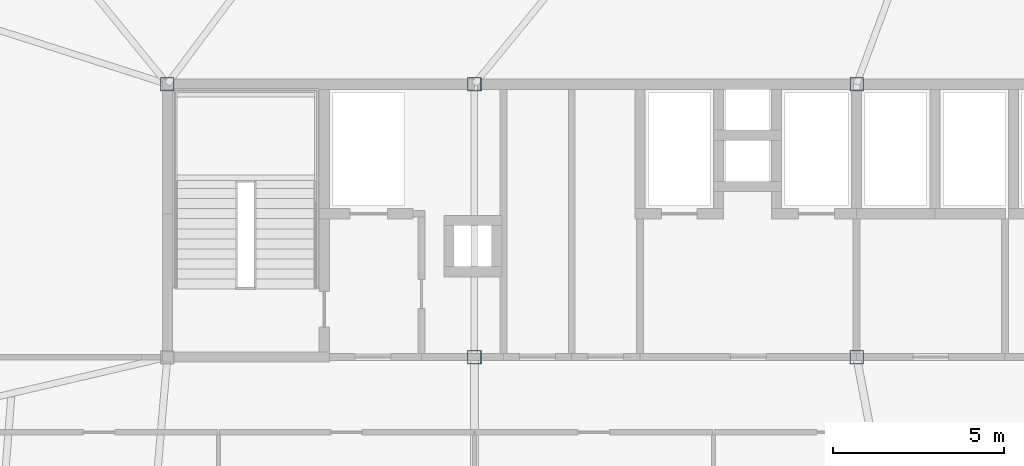
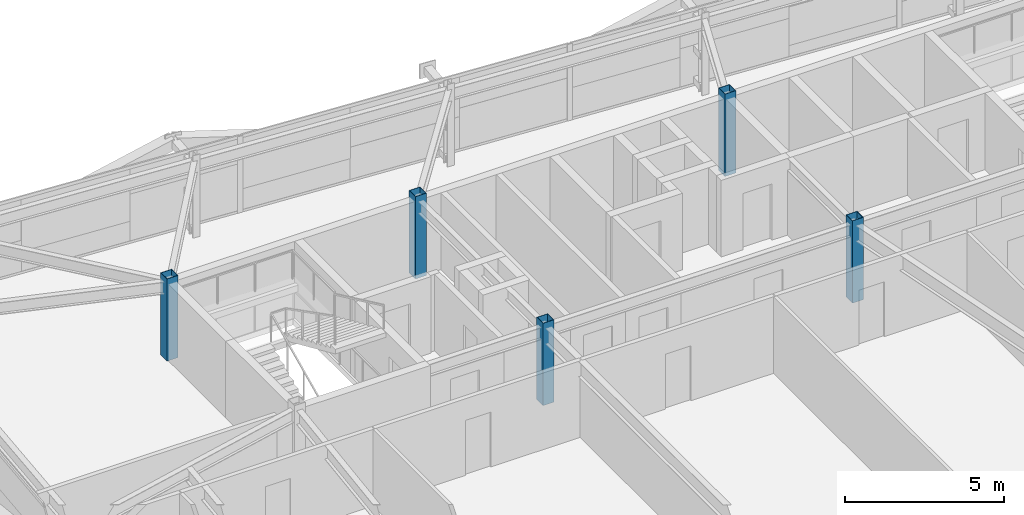
# One storey, part 2 of 39: 5 columns.
"""IFC4 building model written with IfcOpenShell, lengths in metres."""

from ifc_helpers import new_model, si_unit, direction, frame, origin, origin_2d, place, context, subcontext, project, spatial, hollow_rectangle, extrude, source, transform, mapped, material, material_profile, profile_set, type_object, element, save


model = new_model("IFC4")

# Units and contexts
model_context = context("Model", 3, precision=1e-05, world=origin(), true_north=direction((0.0, 1.0)))
body_context = subcontext(model_context, "Body", "Model", "MODEL_VIEW")
ifc_project = project(units=[si_unit("LENGTHUNIT", "METRE"), si_unit("AREAUNIT", "SQUARE_METRE"), si_unit("VOLUMEUNIT", "CUBIC_METRE"), si_unit("PLANEANGLEUNIT", "RADIAN"), si_unit("MASSUNIT", "GRAM", prefix="KILO")], contexts=[model_context])

# Site, building, storey
site_placement = place(None, origin())
site = spatial("IfcSite", under=ifc_project, at=site_placement, CompositionType="ELEMENT")
building_placement = place(site_placement, origin())
building = spatial("IfcBuilding", under=site, at=building_placement, Name="Taldren Reach Tower", CompositionType="ELEMENT")
storey_placement = place(building_placement, frame((0.0, 0.0, 151.89990234375)))
storey = spatial("IfcBuildingStorey", under=building, at=storey_placement, Name="L46", CompositionType="ELEMENT", Elevation=151.89990234375)

# Columns
ifc_material = material(Name="Steel Gr 450 (C450L0)", Category="steel")
ifc_material_profile = material_profile(ifc_material, hollow_rectangle(XDim=0.39990234375, YDim=0.39990234375, WallThickness=0.01611328125, at=origin_2d()), Name="400x400x16.0SHS")
ifc_profile_set = profile_set([ifc_material_profile], Name="Steel Gr 450 (C450L0)")
column_type = type_object("IfcColumnType", Name="COL-SHS400", PredefinedType="COLUMN", material=ifc_profile_set)
shared_shape = source(origin(), body_context, "Body", "SweptSolid", [
    extrude(hollow_rectangle(XDim=0.39990234375, YDim=0.39990234375, WallThickness=0.01611328125, at=origin_2d()), origin(), (0.0, 0.0, 1.0), 3.150146484375),
])
for number, where, z_axis, x_axis, name in (
    (1, (28.0, 24.0, 0.0), (0.0, 0.0, 1.0), (1.0, 0.0, 0.0), "Mega column MC-C2 L46"),
    (2, (39.199951171875, 24.0, 0.0), (0.0, 0.0, 1.0), (1.0, 0.0, 0.0), "Mega column MC-C3 L46"),
    (3, (19.0, 32.0, 0.0), (0.0, 0.0, 1.0), (1.0, 0.0, 0.0), "Mega column MC-C5 L46"),
    (4, (28.0, 32.0, 0.0), (0.0, 0.0, 1.0), (1.0, 0.0, 0.0), "Mega column MC-C6 L46"),
    (5, (39.199951171875, 32.0, 0.0), (0.0, 0.0, 1.0), (1.0, 0.0, 0.0), "Mega column MC-C7 L46"),
):
    element("IfcColumn", number, at=place(storey_placement, frame(where, z_axis=z_axis, x_axis=x_axis)), inside=storey, type_object=column_type, Name=name, PredefinedType="COLUMN", context=body_context, shape_type="MappedRepresentation", body=[
        mapped(shared_shape, transform((0.0, 0.0, 0.0), scale=1.0)),
    ])

save(model, "model.ifc")
